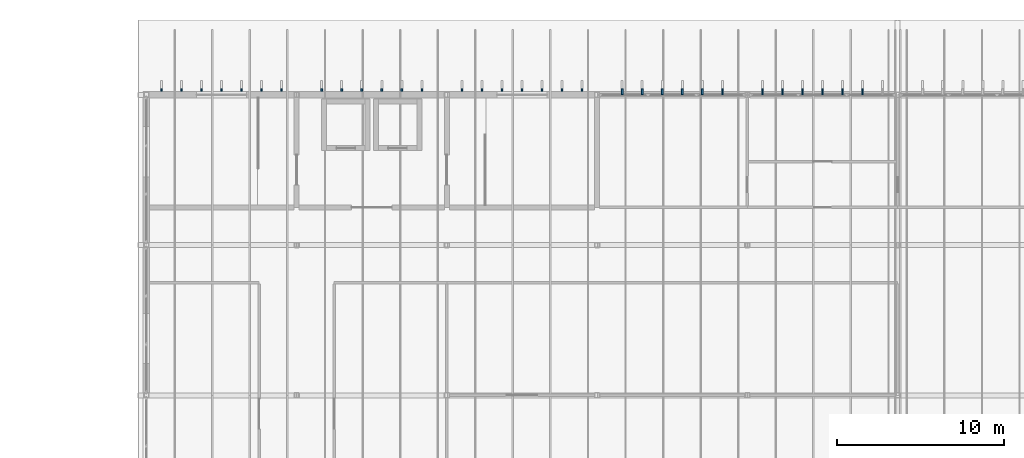
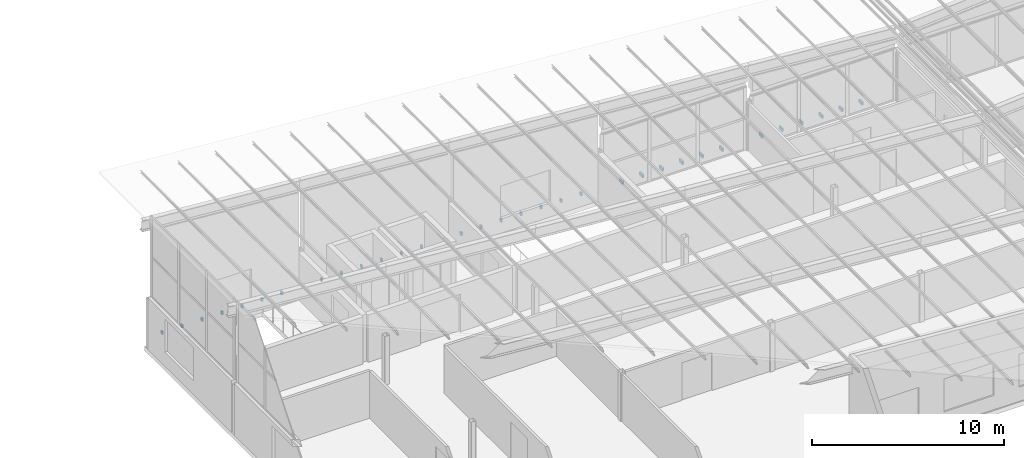
# One storey, part 79 of 85: 32 discrete accessories.
"""IFC4 building model written with IfcOpenShell, lengths in metres."""

from ifc_helpers import new_model, si_unit, direction, frame, origin, origin_2d, place, context, subcontext, project, spatial, rectangle, extrude, material, type_object, element, save


model = new_model("IFC4")

# Units and contexts
model_context = context("Model", 3, precision=1e-05, world=origin(), true_north=direction((0.0, 1.0)))
body_context = subcontext(model_context, "Body", "Model", "MODEL_VIEW")
ifc_project = project(units=[si_unit("LENGTHUNIT", "METRE"), si_unit("AREAUNIT", "SQUARE_METRE"), si_unit("VOLUMEUNIT", "CUBIC_METRE"), si_unit("PLANEANGLEUNIT", "RADIAN"), si_unit("MASSUNIT", "GRAM", prefix="KILO")], contexts=[model_context])

# Site, building, storey
site_placement = place(None, origin())
site = spatial("IfcSite", under=ifc_project, at=site_placement, CompositionType="ELEMENT")
building_placement = place(site_placement, origin())
building = spatial("IfcBuilding", under=site, at=building_placement, Name="Opaline Strait Convention Centre", CompositionType="ELEMENT")
storey_placement = place(building_placement, frame((0.0, 0.0, 17.0)))
storey = spatial("IfcBuildingStorey", under=building, at=storey_placement, Name="L03", CompositionType="ELEMENT", Elevation=17.0)

# Discrete accessories
ifc_material = material(Name="Stainless steel 304", Category="steel")
discrete_accessory_type = type_object("IfcDiscreteAccessoryType", Name="Fin bracket 150 stainless steel", PredefinedType="BRACKET", material=ifc_material)
for number, where, z_axis, x_axis, name in (
    (1, (279.89990234375, 180.27490234375, 0.35009765625), (0.0, 0.0, 1.0), (1.0, 0.0, 0.0), "Fin bracket"),
    (2, (281.10009765625, 180.27490234375, 0.35009765625), (0.0, 0.0, 1.0), (1.0, 0.0, 0.0), "Fin bracket"),
    (3, (282.300048828125, 180.27490234375, 0.35009765625), (0.0, 0.0, 1.0), (1.0, 0.0, 0.0), "Fin bracket"),
    (4, (283.5, 180.27490234375, 0.35009765625), (0.0, 0.0, 1.0), (1.0, 0.0, 0.0), "Fin bracket"),
    (5, (284.699951171875, 180.27490234375, 0.35009765625), (0.0, 0.0, 1.0), (1.0, 0.0, 0.0), "Fin bracket"),
    (6, (285.89990234375, 180.27490234375, 0.35009765625), (0.0, 0.0, 1.0), (1.0, 0.0, 0.0), "Fin bracket"),
    (7, (287.10009765625, 180.27490234375, 0.35009765625), (0.0, 0.0, 1.0), (1.0, 0.0, 0.0), "Fin bracket"),
    (8, (289.5, 180.27490234375, 0.35009765625), (0.0, 0.0, 1.0), (1.0, 0.0, 0.0), "Fin bracket"),
    (9, (290.699951171875, 180.27490234375, 0.35009765625), (0.0, 0.0, 1.0), (1.0, 0.0, 0.0), "Fin bracket"),
    (10, (291.89990234375, 180.27490234375, 0.35009765625), (0.0, 0.0, 1.0), (1.0, 0.0, 0.0), "Fin bracket"),
    (11, (293.10009765625, 180.27490234375, 0.35009765625), (0.0, 0.0, 1.0), (1.0, 0.0, 0.0), "Fin bracket"),
    (12, (294.300048828125, 180.27490234375, 0.35009765625), (0.0, 0.0, 1.0), (1.0, 0.0, 0.0), "Fin bracket"),
    (13, (295.5, 180.27490234375, 0.35009765625), (0.0, 0.0, 1.0), (1.0, 0.0, 0.0), "Fin bracket"),
    (14, (297.89990234375, 180.27490234375, 0.35009765625), (0.0, 0.0, 1.0), (1.0, 0.0, 0.0), "Fin bracket"),
    (15, (299.10009765625, 180.27490234375, 0.35009765625), (0.0, 0.0, 1.0), (1.0, 0.0, 0.0), "Fin bracket"),
    (16, (300.300048828125, 180.27490234375, 0.35009765625), (0.0, 0.0, 1.0), (1.0, 0.0, 0.0), "Fin bracket"),
    (17, (301.5, 180.27490234375, 0.35009765625), (0.0, 0.0, 1.0), (1.0, 0.0, 0.0), "Fin bracket"),
    (18, (302.699951171875, 180.27490234375, 0.35009765625), (0.0, 0.0, 1.0), (1.0, 0.0, 0.0), "Fin bracket"),
    (19, (303.89990234375, 180.27490234375, 0.35009765625), (0.0, 0.0, 1.0), (1.0, 0.0, 0.0), "Fin bracket"),
    (20, (305.10009765625, 180.27490234375, 0.35009765625), (0.0, 0.0, 1.0), (1.0, 0.0, 0.0), "Fin bracket"),
):
    element("IfcDiscreteAccessory", number, at=place(storey_placement, frame(where, z_axis=z_axis, x_axis=x_axis)), inside=storey, type_object=discrete_accessory_type, Name=name, PredefinedType="BRACKET", context=body_context, shape_type="SweptSolid", body=[
        extrude(rectangle(XDim=0.10009765625, YDim=0.14990234375, at=origin_2d()), origin(), (0.0, 0.0, 1.0), 0.199951171875),
    ])
for number, where, z_axis, x_axis, name in (
    (21, (307.5, 180.181884765625, 0.35009765625), (0.0, 0.0, 1.0), (1.0, 0.0, 0.0), "Fin bracket"),
    (22, (308.699951171875, 180.181884765625, 0.35009765625), (0.0, 0.0, 1.0), (1.0, 0.0, 0.0), "Fin bracket"),
    (23, (309.89990234375, 180.181884765625, 0.35009765625), (0.0, 0.0, 1.0), (1.0, 0.0, 0.0), "Fin bracket"),
    (24, (311.10009765625, 180.181884765625, 0.35009765625), (0.0, 0.0, 1.0), (1.0, 0.0, 0.0), "Fin bracket"),
    (25, (312.300048828125, 180.181884765625, 0.35009765625), (0.0, 0.0, 1.0), (1.0, 0.0, 0.0), "Fin bracket"),
    (26, (313.5, 180.181884765625, 0.35009765625), (0.0, 0.0, 1.0), (1.0, 0.0, 0.0), "Fin bracket"),
    (27, (315.89990234375, 180.181884765625, 0.35009765625), (0.0, 0.0, 1.0), (1.0, 0.0, 0.0), "Fin bracket"),
    (28, (317.10009765625, 180.181884765625, 0.35009765625), (0.0, 0.0, 1.0), (1.0, 0.0, 0.0), "Fin bracket"),
    (29, (318.300048828125, 180.181884765625, 0.35009765625), (0.0, 0.0, 1.0), (1.0, 0.0, 0.0), "Fin bracket"),
    (30, (319.5, 180.181884765625, 0.35009765625), (0.0, 0.0, 1.0), (1.0, 0.0, 0.0), "Fin bracket"),
    (31, (320.699951171875, 180.181884765625, 0.35009765625), (0.0, 0.0, 1.0), (1.0, 0.0, 0.0), "Fin bracket"),
    (32, (321.89990234375, 180.181884765625, 0.35009765625), (0.0, 0.0, 1.0), (1.0, 0.0, 0.0), "Fin bracket"),
):
    element("IfcDiscreteAccessory", number, at=place(storey_placement, frame(where, z_axis=z_axis, x_axis=x_axis)), inside=storey, type_object=discrete_accessory_type, Name=name, PredefinedType="BRACKET", context=body_context, shape_type="SweptSolid", body=[
        extrude(rectangle(XDim=0.10009765625, YDim=0.3359375, at=origin_2d()), origin(), (0.0, 0.0, 1.0), 0.199951171875),
    ])

save(model, "model.ifc")
